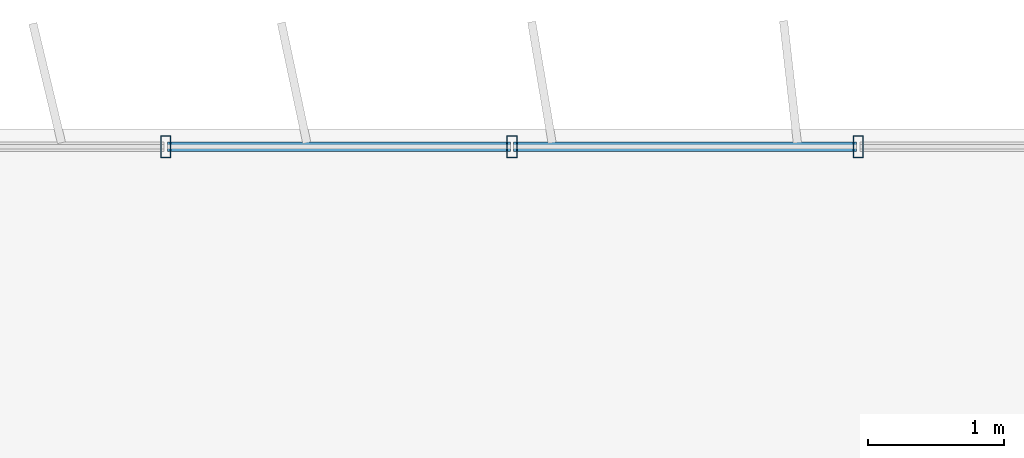
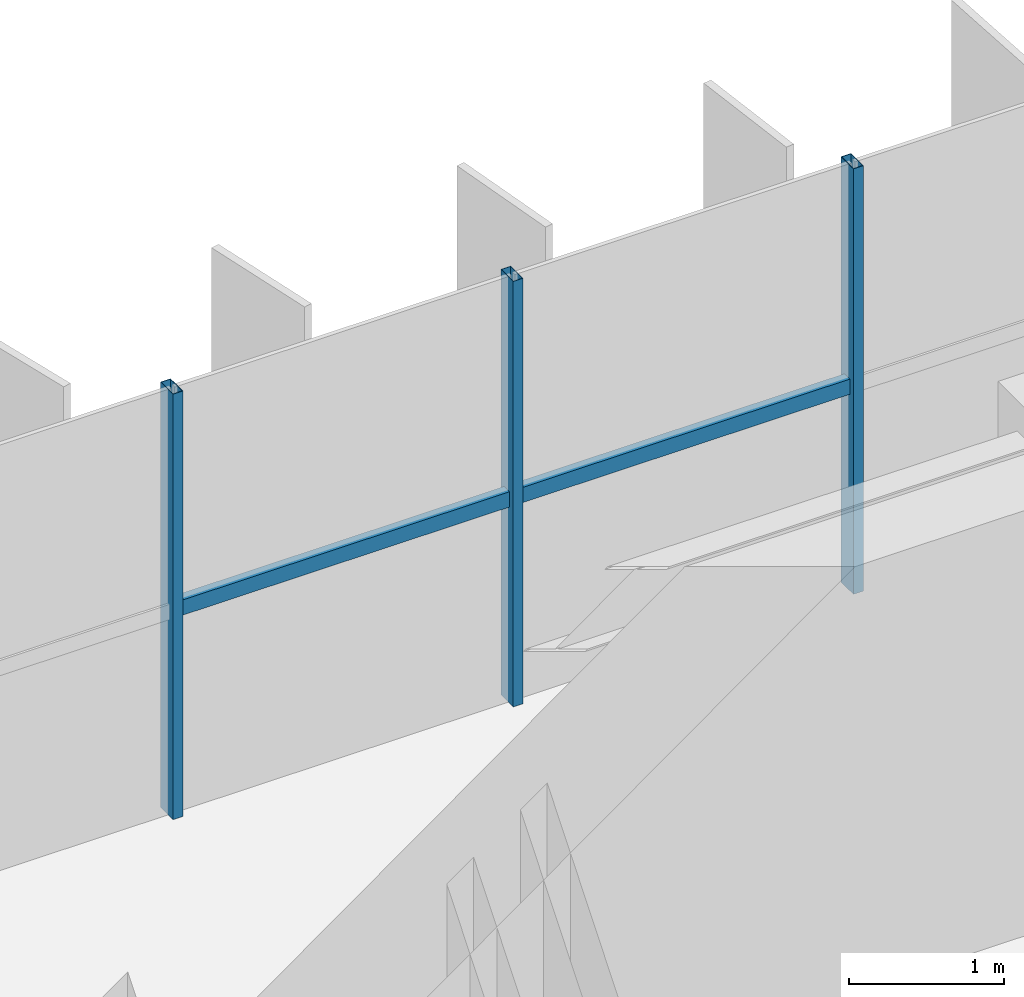
# One storey, part 19 of 35: 5 members, 1 element without a shape of its own.
"""IFC4 building model written with IfcOpenShell, lengths in metres."""

from ifc_helpers import new_model, si_unit, direction, frame, origin, origin_2d, place, context, subcontext, project, spatial, hollow_rectangle, extrude, source, transform, mapped, material, material_profile, profile_set, type_object, element, aggregate, save


model = new_model("IFC4")

# Units and contexts
model_context = context("Model", 3, precision=1e-05, world=origin(), true_north=direction((0.0, 1.0)))
body_context = subcontext(model_context, "Body", "Model", "MODEL_VIEW")
ifc_project = project(units=[si_unit("LENGTHUNIT", "METRE"), si_unit("AREAUNIT", "SQUARE_METRE"), si_unit("VOLUMEUNIT", "CUBIC_METRE"), si_unit("PLANEANGLEUNIT", "RADIAN"), si_unit("MASSUNIT", "GRAM", prefix="KILO")], contexts=[model_context])

# Site, building, storey
site_placement = place(None, origin())
site = spatial("IfcSite", under=ifc_project, at=site_placement, CompositionType="ELEMENT")
building_placement = place(site_placement, origin())
building = spatial("IfcBuilding", under=site, at=building_placement, Name="Trelvane Seafront Commons", CompositionType="ELEMENT")
storey_placement = place(building_placement, frame((0.0, 0.0, 194.10009765625)))
storey = spatial("IfcBuildingStorey", under=building, at=storey_placement, Name="L50", CompositionType="ELEMENT", Elevation=194.10009765625)

# Curtain wall, members
ifc_material = material(Name="Anodised pale-silver aluminium", Category="aluminium")
curtain_wall_type = type_object("IfcCurtainWallType", Name="ARCH-CW5-UPTOWER", PredefinedType="NOTDEFINED", material=ifc_material)
curtain_wall_placement = place(storey_placement, origin())
curtain_wall = element("IfcCurtainWall", 1, at=curtain_wall_placement, inside=storey, type_object=curtain_wall_type, Name="CW-L50-0078", PredefinedType="NOTDEFINED")
ifc_material_profile_1 = material_profile(ifc_material, hollow_rectangle(XDim=0.070068359375, YDim=0.1201171875, WallThickness=0.00390625, at=origin_2d()), Name="TRAN-70x120x4")
ifc_profile_set_1 = profile_set([ifc_material_profile_1], Name="Anodised pale-silver aluminium")
member_type_1 = type_object("IfcMemberType", Name="ARCH-CW-TRAN-120", PredefinedType="USERDEFINED", material=ifc_profile_set_1)
shared_shape_1 = source(origin(), body_context, "Body", "SweptSolid", [
    extrude(hollow_rectangle(XDim=0.070068359375, YDim=0.1201171875, WallThickness=0.00390625, at=origin_2d()), origin(), (0.0, 0.0, 1.0), 2.517333984375),
])
member_1_placement = place(storey_placement, frame((25.776611328125, 48.3701171875, 1.61279296875), z_axis=(1.0, 0.0, 0.0), x_axis=(0.0, 1.0, 0.0)))
member_1 = element("IfcMember", 2, at=member_1_placement, type_object=member_type_1, Name="CW-L50-0078-T04", ObjectType="TRANSOM", PredefinedType="USERDEFINED", context=body_context, shape_type="MappedRepresentation", body=[
    mapped(shared_shape_1, transform((0.0, 0.0, 0.0), x_axis=(1.0, 0.0, 0.0), y_axis=(0.0, 1.0, 0.0), z_axis=(0.0, 0.0, 1.0), scale=1.0)),
])
member_2_placement = place(storey_placement, frame((28.31787109375, 48.3701171875, 1.61279296875), z_axis=(1.0, 0.0, 0.0), x_axis=(0.0, 1.0, 0.0)))
member_2 = element("IfcMember", 3, at=member_2_placement, type_object=member_type_1, Name="CW-L50-0078-T05", ObjectType="TRANSOM", PredefinedType="USERDEFINED", context=body_context, shape_type="MappedRepresentation", body=[
    mapped(shared_shape_1, transform((0.0, 0.0, 0.0), x_axis=(1.0, 0.0, 0.0), y_axis=(0.0, 1.0, 0.0), z_axis=(0.0, 0.0, 1.0), scale=1.0)),
])
ifc_material_profile_2 = material_profile(ifc_material, hollow_rectangle(XDim=0.074951171875, YDim=0.159912109375, WallThickness=0.00390625, at=origin_2d()), Name="MULL-75x160x4")
ifc_profile_set_2 = profile_set([ifc_material_profile_2], Name="Anodised pale-silver aluminium")
member_type_2 = type_object("IfcMemberType", Name="ARCH-CW-MULL-160", PredefinedType="MULLION", material=ifc_profile_set_2)
shared_shape_2 = source(origin(), body_context, "Body", "SweptSolid", [
    extrude(hollow_rectangle(XDim=0.074951171875, YDim=0.159912109375, WallThickness=0.00390625, at=origin_2d()), origin(), (0.0, 0.0, 1.0), 3.35986328125),
])
member_3_placement = place(storey_placement, frame((25.7646484375, 48.3701171875, 0.0), z_axis=(0.0, 0.0, 1.0), x_axis=(1.0, 0.0, 0.0)))
member_3 = element("IfcMember", 4, at=member_3_placement, type_object=member_type_2, Name="CW-L50-0078-M04", PredefinedType="MULLION", context=body_context, shape_type="MappedRepresentation", body=[
    mapped(shared_shape_2, transform((0.0, 0.0, 0.0), x_axis=(1.0, 0.0, 0.0), y_axis=(0.0, 1.0, 0.0), z_axis=(0.0, 0.0, 1.0), scale=1.0)),
])
member_4_placement = place(storey_placement, frame((28.305908203125, 48.3701171875, 0.0), z_axis=(0.0, 0.0, 1.0), x_axis=(1.0, 0.0, 0.0)))
member_4 = element("IfcMember", 5, at=member_4_placement, type_object=member_type_2, Name="CW-L50-0078-M05", PredefinedType="MULLION", context=body_context, shape_type="MappedRepresentation", body=[
    mapped(shared_shape_2, transform((0.0, 0.0, 0.0), x_axis=(1.0, 0.0, 0.0), y_axis=(0.0, 1.0, 0.0), z_axis=(0.0, 0.0, 1.0), scale=1.0)),
])
member_5_placement = place(storey_placement, frame((30.84716796875, 48.3701171875, 0.0), z_axis=(0.0, 0.0, 1.0), x_axis=(1.0, 0.0, 0.0)))
member_5 = element("IfcMember", 6, at=member_5_placement, type_object=member_type_2, Name="CW-L50-0078-M06", PredefinedType="MULLION", context=body_context, shape_type="MappedRepresentation", body=[
    mapped(shared_shape_2, transform((0.0, 0.0, 0.0), x_axis=(1.0, 0.0, 0.0), y_axis=(0.0, 1.0, 0.0), z_axis=(0.0, 0.0, 1.0), scale=1.0)),
])
aggregate(curtain_wall, [member_3, member_4, member_5, member_1, member_2])

save(model, "model.ifc")
